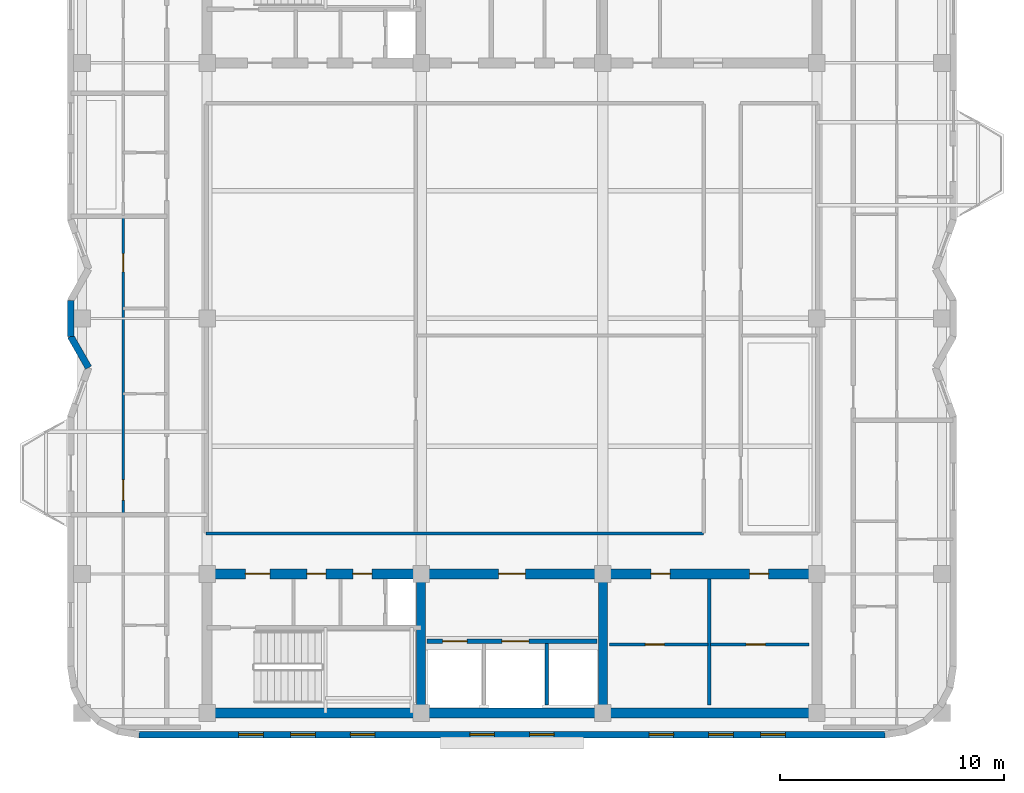
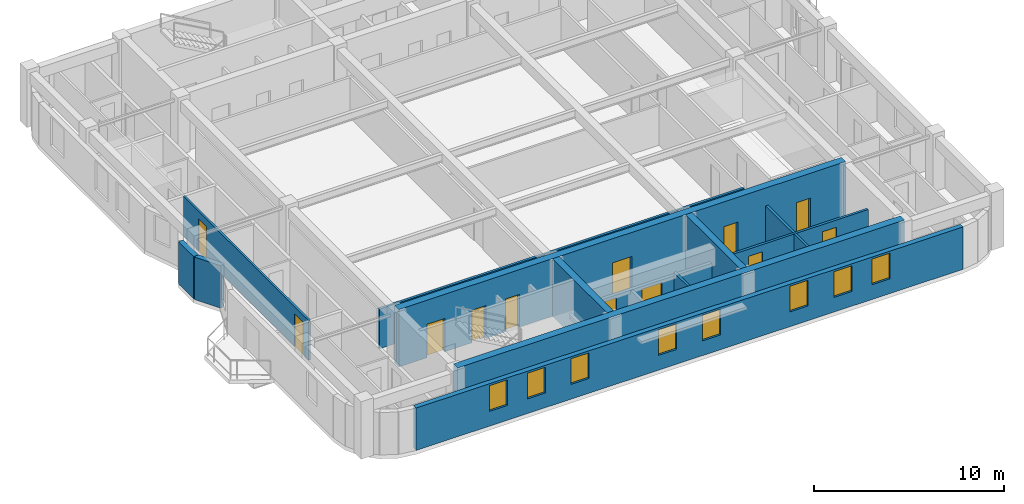
# One storey, part 3 of 9: 14 walls, 12 doors, 8 windows, 20 openings.
"""IFC4 building model written with IfcOpenShell, lengths in metres."""

from ifc_helpers import new_model, si_unit, direction, frame, frame_2d, origin, place, context, subcontext, project, spatial, rectangle, extrude, material, layer, layer_set, type_object, element, fill, save


model = new_model("IFC4")

# Units and contexts
model_context = context("Model", 3, precision=1e-05, world=origin(), true_north=direction((0.0, 1.0)))
body_context = subcontext(model_context, "Body", "Model", "MODEL_VIEW")
ifc_project = project(units=[si_unit("LENGTHUNIT", "METRE"), si_unit("AREAUNIT", "SQUARE_METRE"), si_unit("VOLUMEUNIT", "CUBIC_METRE"), si_unit("PLANEANGLEUNIT", "RADIAN"), si_unit("MASSUNIT", "GRAM", prefix="KILO")], contexts=[model_context])

# Site, building, storey
site_placement = place(None, origin())
site = spatial("IfcSite", under=ifc_project, at=site_placement, CompositionType="ELEMENT")
building_placement = place(site_placement, origin())
building = spatial("IfcBuilding", under=site, at=building_placement, Name="Svetorya Sky Lyceum", CompositionType="ELEMENT")
storey_placement = place(building_placement, frame((0.0, 0.0, 271.300048828125)))
storey = spatial("IfcBuildingStorey", under=building, at=storey_placement, Name="L68", CompositionType="ELEMENT", Elevation=271.300048828125)

# Walls
ifc_material_1 = material(Name="Concrete C40/50", Category="concrete")
ifc_layer_1 = layer(ifc_material_1, 0.39990234375)
ifc_layer_set_1 = layer_set([ifc_layer_1], Name="Concrete C40/50")
wall_type_1 = type_object("IfcWallType", Name="WL-CORE-400", PredefinedType="SHEAR", material=ifc_layer_set_1)
for number, where, z_axis, x_axis, name in (
    (1, (35.14990234375, 10.824951171875, 0.0), (0.0, 0.0, 1.0), (0.0, 1.0, 0.0), "L68 SC Internal Shear Web WEB1"),
    (2, (43.25, 10.824951171875, 0.0), (0.0, 0.0, 1.0), (0.0, 1.0, 0.0), "L68 SC Internal Shear Web WEB2"),
):
    element("IfcWall", number, at=place(storey_placement, frame(where, z_axis=z_axis, x_axis=x_axis)), inside=storey, type_object=wall_type_1, Name=name, PredefinedType="SHEAR", context=body_context, shape_type="SweptSolid", body=[
        extrude(rectangle(XDim=5.75, YDim=0.39990234375, at=frame_2d((2.875, 0.0))), origin(), (0.0, 0.0, 1.0), 3.699951171875),
    ])
ifc_material_2 = material(Name="Concrete C50/60", Category="concrete")
ifc_layer_2 = layer(ifc_material_2, 0.449951171875)
ifc_layer_set_2 = layer_set([ifc_layer_2], Name="Concrete C50/60")
wall_type_2 = type_object("IfcWallType", Name="WL-CORE-450", PredefinedType="SHEAR", material=ifc_layer_set_2)
wall_1_placement = place(storey_placement, frame((52.800048828125, 10.60009765625, 0.0), z_axis=(0.0, 0.0, 1.0), x_axis=(-1.0, 0.0, 0.0)))
element("IfcWall", 3, at=wall_1_placement, inside=storey, type_object=wall_type_2, Name="L68 SC Outer Core Shear Wall", PredefinedType="SHEAR", context=body_context, shape_type="SweptSolid", body=[
    extrude(rectangle(XDim=27.199951171875, YDim=0.449951171875, at=frame_2d((13.60009765625, 0.0))), origin(), (0.0, 0.0, 1.0), 3.699951171875),
])

# Wall, openings, doors
wall_2_placement = place(storey_placement, frame((25.60009765625, 16.800048828125, 0.0), z_axis=(0.0, 0.0, 1.0), x_axis=(1.0, 0.0, 0.0)))
wall_2 = element("IfcWall", 4, at=wall_2_placement, inside=storey, type_object=wall_type_2, Name="L68 SC Inner Core Shear Wall", PredefinedType="SHEAR", context=body_context, shape_type="SweptSolid", body=[
    extrude(rectangle(XDim=27.199951171875, YDim=0.449951171875, at=frame_2d((13.60009765625, 0.0))), origin(), (0.0, 0.0, 1.0), 3.699951171875),
])
opening_1_placement = place(wall_2_placement, frame((1.699951171875, 0.0, 0.0)))
opening_1 = element("IfcOpeningElement", 5, at=opening_1_placement, cuts=wall_2, Name="Opening D-ST1", PredefinedType="OPENING", context=body_context, shape_type="SweptSolid", body=[
    extrude(rectangle(XDim=1.10009765625, YDim=2.14990234375, at=frame_2d((0.550048828125, 1.074951171875))), frame((0.0, 0.23486328125, 0.0), z_axis=(0.0, -1.0, 0.0), x_axis=(1.0, 0.0, 0.0)), (0.0, 0.0, 1.0), 0.469970703125),
])
opening_2_placement = place(wall_2_placement, frame((4.449951171875, 0.0, 0.0)))
opening_2 = element("IfcOpeningElement", 6, at=opening_2_placement, cuts=wall_2, Name="Opening D-CWC1", PredefinedType="OPENING", context=body_context, shape_type="SweptSolid", body=[
    extrude(rectangle(XDim=0.85009765625, YDim=2.10009765625, at=frame_2d((0.425048828125, 1.050048828125))), frame((0.0, 0.23486328125, 0.0), z_axis=(0.0, -1.0, 0.0), x_axis=(1.0, 0.0, 0.0)), (0.0, 0.0, 1.0), 0.469970703125),
])
opening_3_placement = place(wall_2_placement, frame((6.5, 0.0, 0.0)))
opening_3 = element("IfcOpeningElement", 7, at=opening_3_placement, cuts=wall_2, Name="Opening D-CWC1", PredefinedType="OPENING", context=body_context, shape_type="SweptSolid", body=[
    extrude(rectangle(XDim=0.85009765625, YDim=2.10009765625, at=frame_2d((0.425048828125, 1.050048828125))), frame((0.0, 0.23486328125, 0.0), z_axis=(0.0, -1.0, 0.0), x_axis=(1.0, 0.0, 0.0)), (0.0, 0.0, 1.0), 0.469970703125),
])
opening_4_placement = place(wall_2_placement, frame((13.0, 0.0, 0.0)))
opening_4 = element("IfcOpeningElement", 8, at=opening_4_placement, cuts=wall_2, Name="Opening D-FL1", PredefinedType="OPENING", context=body_context, shape_type="SweptSolid", body=[
    extrude(rectangle(XDim=1.199951171875, YDim=2.14990234375, at=frame_2d((0.60009765625, 1.074951171875))), frame((0.0, 0.23486328125, 0.0), z_axis=(0.0, -1.0, 0.0), x_axis=(1.0, 0.0, 0.0)), (0.0, 0.0, 1.0), 0.469970703125),
])
opening_5_placement = place(wall_2_placement, frame((19.800048828125, 0.0, 0.0)))
opening_5 = element("IfcOpeningElement", 9, at=opening_5_placement, cuts=wall_2, Name="Opening D-CWC1", PredefinedType="OPENING", context=body_context, shape_type="SweptSolid", body=[
    extrude(rectangle(XDim=0.85009765625, YDim=2.10009765625, at=frame_2d((0.425048828125, 1.050048828125))), frame((0.0, 0.23486328125, 0.0), z_axis=(0.0, -1.0, 0.0), x_axis=(1.0, 0.0, 0.0)), (0.0, 0.0, 1.0), 0.469970703125),
])
opening_6_placement = place(wall_2_placement, frame((24.199951171875, 0.0, 0.0)))
opening_6 = element("IfcOpeningElement", 10, at=opening_6_placement, cuts=wall_2, Name="Opening D-CWC1", PredefinedType="OPENING", context=body_context, shape_type="SweptSolid", body=[
    extrude(rectangle(XDim=0.85009765625, YDim=2.10009765625, at=frame_2d((0.425048828125, 1.050048828125))), frame((0.0, 0.23486328125, 0.0), z_axis=(0.0, -1.0, 0.0), x_axis=(1.0, 0.0, 0.0)), (0.0, 0.0, 1.0), 0.469970703125),
])
ifc_material_3 = material(Name="Fire-rated galvanized steel core service closet door", Category="steel")
door_type_1 = type_object("IfcDoorType", Name="DR-CWET-850", OperationType="SINGLE_SWING_LEFT", PredefinedType="DOOR", material=ifc_material_3)
door_1_placement = place(opening_2_placement, origin())
door_1 = element("IfcDoor", 11, at=door_1_placement, inside=storey, type_object=door_type_1, Name="L68 South Mop Closet Door", OperationType="SINGLE_SWING_LEFT", OverallHeight=2.10009765625, OverallWidth=0.85009765625, PredefinedType="DOOR", context=body_context, shape_type="SweptSolid", body=[
    extrude(rectangle(XDim=0.85009765625, YDim=2.10009765625, at=frame_2d((0.425048828125, 1.050048828125))), frame((0.0, 0.02490234375, 0.0), z_axis=(0.0, -1.0, 0.0), x_axis=(1.0, 0.0, 0.0)), (0.0, 0.0, 1.0), 0.050048828125),
])
fill(opening_2, door_1)
door_2_placement = place(opening_3_placement, origin())
door_2 = element("IfcDoor", 12, at=door_2_placement, inside=storey, type_object=door_type_1, Name="L68 South West WC Door", OperationType="SINGLE_SWING_RIGHT", OverallHeight=2.10009765625, OverallWidth=0.85009765625, PredefinedType="DOOR", context=body_context, shape_type="SweptSolid", body=[
    extrude(rectangle(XDim=0.85009765625, YDim=2.10009765625, at=frame_2d((0.425048828125, 1.050048828125))), frame((0.0, 0.02490234375, 0.0), z_axis=(0.0, -1.0, 0.0), x_axis=(1.0, 0.0, 0.0)), (0.0, 0.0, 1.0), 0.050048828125),
])
fill(opening_3, door_2)
door_3_placement = place(opening_5_placement, origin())
door_3 = element("IfcDoor", 13, at=door_3_placement, inside=storey, type_object=door_type_1, Name="L68 Housekeeping Door", OperationType="SINGLE_SWING_LEFT", OverallHeight=2.10009765625, OverallWidth=0.85009765625, PredefinedType="DOOR", context=body_context, shape_type="SweptSolid", body=[
    extrude(rectangle(XDim=0.85009765625, YDim=2.10009765625, at=frame_2d((0.425048828125, 1.050048828125))), frame((0.0, 0.02490234375, 0.0), z_axis=(0.0, -1.0, 0.0), x_axis=(1.0, 0.0, 0.0)), (0.0, 0.0, 1.0), 0.050048828125),
])
fill(opening_5, door_3)
door_4_placement = place(opening_6_placement, origin())
door_4 = element("IfcDoor", 14, at=door_4_placement, inside=storey, type_object=door_type_1, Name="L68 South WC Door", OperationType="SINGLE_SWING_RIGHT", OverallHeight=2.10009765625, OverallWidth=0.85009765625, PredefinedType="DOOR", context=body_context, shape_type="SweptSolid", body=[
    extrude(rectangle(XDim=0.85009765625, YDim=2.10009765625, at=frame_2d((0.425048828125, 1.050048828125))), frame((0.0, 0.02490234375, 0.0), z_axis=(0.0, -1.0, 0.0), x_axis=(1.0, 0.0, 0.0)), (0.0, 0.0, 1.0), 0.050048828125),
])
fill(opening_6, door_4)
ifc_material_4 = material(Name="Powder-coated insulated galvanized stair fire door")
door_type_2 = type_object("IfcDoorType", Name="DR-FIRE-1100", OperationType="SINGLE_SWING_LEFT", PredefinedType="DOOR", material=ifc_material_4)
door_5_placement = place(opening_1_placement, origin())
door_5 = element("IfcDoor", 15, at=door_5_placement, inside=storey, type_object=door_type_2, Name="L68 South Stair Airlock Door", OperationType="SINGLE_SWING_RIGHT", OverallHeight=2.14990234375, OverallWidth=1.10009765625, PredefinedType="DOOR", context=body_context, shape_type="SweptSolid", body=[
    extrude(rectangle(XDim=1.10009765625, YDim=2.14990234375, at=frame_2d((0.550048828125, 1.074951171875))), frame((0.0, 0.02490234375, 0.0), z_axis=(0.0, -1.0, 0.0), x_axis=(1.0, 0.0, 0.0)), (0.0, 0.0, 1.0), 0.050048828125),
])
fill(opening_1, door_5)
ifc_material_5 = material(Name="Powder-coated insulated galvanized fire door")
door_type_3 = type_object("IfcDoorType", Name="DR-FIRE-1200", OperationType="SINGLE_SWING_LEFT", PredefinedType="DOOR", material=ifc_material_5)
door_6_placement = place(opening_4_placement, origin())
door_6 = element("IfcDoor", 16, at=door_6_placement, inside=storey, type_object=door_type_3, Name="L68 South Firefighting Lift Lobby Door", OperationType="SINGLE_SWING_LEFT", OverallHeight=2.14990234375, OverallWidth=1.199951171875, PredefinedType="DOOR", context=body_context, shape_type="SweptSolid", body=[
    extrude(rectangle(XDim=1.199951171875, YDim=2.14990234375, at=frame_2d((0.60009765625, 1.074951171875))), frame((0.0, 0.02490234375, 0.0), z_axis=(0.0, -1.0, 0.0), x_axis=(1.0, 0.0, 0.0)), (0.0, 0.0, 1.0), 0.050048828125),
])
fill(opening_4, door_6)

# Wall, openings, windows
ifc_material_6 = material(Name="Putilovo limestone rainscreen on autoclaved cellular masonry", Category="masonry")
ifc_layer_3 = layer(ifc_material_6, 0.300048828125)
ifc_layer_set_3 = layer_set([ifc_layer_3], Name="Putilovo limestone rainscreen on autoclaved cellular masonry")
wall_type_3 = type_object("IfcWallType", Name="WL-EXT-300", PredefinedType="SOLIDWALL", material=ifc_layer_set_3)
wall_3_placement = place(storey_placement, frame((22.56005859375, 9.6298828125, 0.0), z_axis=(0.0, 0.0, 1.0), x_axis=(1.0, 0.0, 0.0)))
wall_3 = element("IfcWall", 17, at=wall_3_placement, inside=storey, type_object=wall_type_3, Name="L68 Limestone Exterior Wall 6M", PredefinedType="SOLIDWALL", context=body_context, shape_type="SweptSolid", body=[
    extrude(rectangle(XDim=33.280029296875, YDim=0.300048828125, at=frame_2d((16.64013671875, 0.0))), origin(), (0.0, 0.0, 1.0), 2.72998046875),
])
opening_7_placement = place(wall_3_placement, frame((4.447509765625, 0.0, 0.949951171875)))
opening_7 = element("IfcOpeningElement", 18, at=opening_7_placement, cuts=wall_3, Name="Opening W-R3", PredefinedType="OPENING", context=body_context, shape_type="SweptSolid", body=[
    extrude(rectangle(XDim=1.10009765625, YDim=1.64990234375, at=frame_2d((0.550048828125, 0.824951171875))), frame((0.0, 0.159912109375, 0.0), z_axis=(0.0, -1.0, 0.0), x_axis=(1.0, 0.0, 0.0)), (0.0, 0.0, 1.0), 0.320068359375),
])
opening_8_placement = place(wall_3_placement, frame((6.762451171875, 0.0, 0.949951171875)))
opening_8 = element("IfcOpeningElement", 19, at=opening_8_placement, cuts=wall_3, Name="Opening W-R3", PredefinedType="OPENING", context=body_context, shape_type="SweptSolid", body=[
    extrude(rectangle(XDim=1.10009765625, YDim=1.64990234375, at=frame_2d((0.550048828125, 0.824951171875))), frame((0.0, 0.159912109375, 0.0), z_axis=(0.0, -1.0, 0.0), x_axis=(1.0, 0.0, 0.0)), (0.0, 0.0, 1.0), 0.320068359375),
])
opening_9_placement = place(wall_3_placement, frame((9.427490234375, 0.0, 0.949951171875)))
opening_9 = element("IfcOpeningElement", 20, at=opening_9_placement, cuts=wall_3, Name="Opening W-R3", PredefinedType="OPENING", context=body_context, shape_type="SweptSolid", body=[
    extrude(rectangle(XDim=1.10009765625, YDim=1.64990234375, at=frame_2d((0.550048828125, 0.824951171875))), frame((0.0, 0.159912109375, 0.0), z_axis=(0.0, -1.0, 0.0), x_axis=(1.0, 0.0, 0.0)), (0.0, 0.0, 1.0), 0.320068359375),
])
opening_10_placement = place(wall_3_placement, frame((14.757568359375, 0.0, 0.949951171875)))
opening_10 = element("IfcOpeningElement", 21, at=opening_10_placement, cuts=wall_3, Name="Opening W-R3", PredefinedType="OPENING", context=body_context, shape_type="SweptSolid", body=[
    extrude(rectangle(XDim=1.10009765625, YDim=1.64990234375, at=frame_2d((0.550048828125, 0.824951171875))), frame((0.0, 0.159912109375, 0.0), z_axis=(0.0, -1.0, 0.0), x_axis=(1.0, 0.0, 0.0)), (0.0, 0.0, 1.0), 0.320068359375),
])
opening_11_placement = place(wall_3_placement, frame((17.422607421875, 0.0, 0.949951171875)))
opening_11 = element("IfcOpeningElement", 22, at=opening_11_placement, cuts=wall_3, Name="Opening W-R3", PredefinedType="OPENING", context=body_context, shape_type="SweptSolid", body=[
    extrude(rectangle(XDim=1.10009765625, YDim=1.64990234375, at=frame_2d((0.550048828125, 0.824951171875))), frame((0.0, 0.159912109375, 0.0), z_axis=(0.0, -1.0, 0.0), x_axis=(1.0, 0.0, 0.0)), (0.0, 0.0, 1.0), 0.320068359375),
])
opening_12_placement = place(wall_3_placement, frame((22.75244140625, 0.0, 0.949951171875)))
opening_12 = element("IfcOpeningElement", 23, at=opening_12_placement, cuts=wall_3, Name="Opening W-R3", PredefinedType="OPENING", context=body_context, shape_type="SweptSolid", body=[
    extrude(rectangle(XDim=1.10009765625, YDim=1.64990234375, at=frame_2d((0.550048828125, 0.824951171875))), frame((0.0, 0.159912109375, 0.0), z_axis=(0.0, -1.0, 0.0), x_axis=(1.0, 0.0, 0.0)), (0.0, 0.0, 1.0), 0.320068359375),
])
opening_13_placement = place(wall_3_placement, frame((25.41748046875, 0.0, 0.949951171875)))
opening_13 = element("IfcOpeningElement", 24, at=opening_13_placement, cuts=wall_3, Name="Opening W-R3", PredefinedType="OPENING", context=body_context, shape_type="SweptSolid", body=[
    extrude(rectangle(XDim=1.10009765625, YDim=1.64990234375, at=frame_2d((0.550048828125, 0.824951171875))), frame((0.0, 0.159912109375, 0.0), z_axis=(0.0, -1.0, 0.0), x_axis=(1.0, 0.0, 0.0)), (0.0, 0.0, 1.0), 0.320068359375),
])
opening_14_placement = place(wall_3_placement, frame((27.732421875, 0.0, 0.949951171875)))
opening_14 = element("IfcOpeningElement", 25, at=opening_14_placement, cuts=wall_3, Name="Opening W-R3", PredefinedType="OPENING", context=body_context, shape_type="SweptSolid", body=[
    extrude(rectangle(XDim=1.10009765625, YDim=1.64990234375, at=frame_2d((0.550048828125, 0.824951171875))), frame((0.0, 0.159912109375, 0.0), z_axis=(0.0, -1.0, 0.0), x_axis=(1.0, 0.0, 0.0)), (0.0, 0.0, 1.0), 0.320068359375),
])
ifc_material_7 = material(Name="Thermally broken aluminium frame with triple low-E glazing", Category="aluminium")
window_type = type_object("IfcWindowType", Name="WN-RES-110", PartitioningType="SINGLE_PANEL", PredefinedType="WINDOW", material=ifc_material_7)
window_1_placement = place(opening_7_placement, origin())
window_1 = element("IfcWindow", 26, at=window_1_placement, inside=storey, type_object=window_type, Name="L68 Facade Window W-R3.6M.1", OverallHeight=1.64990234375, OverallWidth=1.10009765625, PartitioningType="SINGLE_PANEL", PredefinedType="WINDOW", context=body_context, shape_type="SweptSolid", body=[
    extrude(rectangle(XDim=1.10009765625, YDim=1.64990234375, at=frame_2d((0.550048828125, 0.824951171875))), frame((0.0, 0.030029296875, 0.0), z_axis=(0.0, -1.0, 0.0), x_axis=(1.0, 0.0, 0.0)), (0.0, 0.0, 1.0), 0.06005859375),
])
fill(opening_7, window_1)
window_2_placement = place(opening_8_placement, origin())
window_2 = element("IfcWindow", 27, at=window_2_placement, inside=storey, type_object=window_type, Name="L68 Facade Window W-R3.6M.2", OverallHeight=1.64990234375, OverallWidth=1.10009765625, PartitioningType="SINGLE_PANEL", PredefinedType="WINDOW", context=body_context, shape_type="SweptSolid", body=[
    extrude(rectangle(XDim=1.10009765625, YDim=1.64990234375, at=frame_2d((0.550048828125, 0.824951171875))), frame((0.0, 0.030029296875, 0.0), z_axis=(0.0, -1.0, 0.0), x_axis=(1.0, 0.0, 0.0)), (0.0, 0.0, 1.0), 0.06005859375),
])
fill(opening_8, window_2)
window_3_placement = place(opening_9_placement, origin())
window_3 = element("IfcWindow", 28, at=window_3_placement, inside=storey, type_object=window_type, Name="L68 Facade Window W-R3.6M.3", OverallHeight=1.64990234375, OverallWidth=1.10009765625, PartitioningType="SINGLE_PANEL", PredefinedType="WINDOW", context=body_context, shape_type="SweptSolid", body=[
    extrude(rectangle(XDim=1.10009765625, YDim=1.64990234375, at=frame_2d((0.550048828125, 0.824951171875))), frame((0.0, 0.030029296875, 0.0), z_axis=(0.0, -1.0, 0.0), x_axis=(1.0, 0.0, 0.0)), (0.0, 0.0, 1.0), 0.06005859375),
])
fill(opening_9, window_3)
window_4_placement = place(opening_10_placement, origin())
window_4 = element("IfcWindow", 29, at=window_4_placement, inside=storey, type_object=window_type, Name="L68 Facade Window W-R3.6M.4", OverallHeight=1.64990234375, OverallWidth=1.10009765625, PartitioningType="SINGLE_PANEL", PredefinedType="WINDOW", context=body_context, shape_type="SweptSolid", body=[
    extrude(rectangle(XDim=1.10009765625, YDim=1.64990234375, at=frame_2d((0.550048828125, 0.824951171875))), frame((0.0, 0.030029296875, 0.0), z_axis=(0.0, -1.0, 0.0), x_axis=(1.0, 0.0, 0.0)), (0.0, 0.0, 1.0), 0.06005859375),
])
fill(opening_10, window_4)
window_5_placement = place(opening_11_placement, origin())
window_5 = element("IfcWindow", 30, at=window_5_placement, inside=storey, type_object=window_type, Name="L68 Facade Window W-R3.6M.5", OverallHeight=1.64990234375, OverallWidth=1.10009765625, PartitioningType="SINGLE_PANEL", PredefinedType="WINDOW", context=body_context, shape_type="SweptSolid", body=[
    extrude(rectangle(XDim=1.10009765625, YDim=1.64990234375, at=frame_2d((0.550048828125, 0.824951171875))), frame((0.0, 0.030029296875, 0.0), z_axis=(0.0, -1.0, 0.0), x_axis=(1.0, 0.0, 0.0)), (0.0, 0.0, 1.0), 0.06005859375),
])
fill(opening_11, window_5)
window_6_placement = place(opening_12_placement, origin())
window_6 = element("IfcWindow", 31, at=window_6_placement, inside=storey, type_object=window_type, Name="L68 Facade Window W-R3.6M.6", OverallHeight=1.64990234375, OverallWidth=1.10009765625, PartitioningType="SINGLE_PANEL", PredefinedType="WINDOW", context=body_context, shape_type="SweptSolid", body=[
    extrude(rectangle(XDim=1.10009765625, YDim=1.64990234375, at=frame_2d((0.550048828125, 0.824951171875))), frame((0.0, 0.030029296875, 0.0), z_axis=(0.0, -1.0, 0.0), x_axis=(1.0, 0.0, 0.0)), (0.0, 0.0, 1.0), 0.06005859375),
])
fill(opening_12, window_6)
window_7_placement = place(opening_13_placement, origin())
window_7 = element("IfcWindow", 32, at=window_7_placement, inside=storey, type_object=window_type, Name="L68 Facade Window W-R3.6M.7", OverallHeight=1.64990234375, OverallWidth=1.10009765625, PartitioningType="SINGLE_PANEL", PredefinedType="WINDOW", context=body_context, shape_type="SweptSolid", body=[
    extrude(rectangle(XDim=1.10009765625, YDim=1.64990234375, at=frame_2d((0.550048828125, 0.824951171875))), frame((0.0, 0.030029296875, 0.0), z_axis=(0.0, -1.0, 0.0), x_axis=(1.0, 0.0, 0.0)), (0.0, 0.0, 1.0), 0.06005859375),
])
fill(opening_13, window_7)
window_8_placement = place(opening_14_placement, origin())
window_8 = element("IfcWindow", 33, at=window_8_placement, inside=storey, type_object=window_type, Name="L68 Facade Window W-R3.6M.8", OverallHeight=1.64990234375, OverallWidth=1.10009765625, PartitioningType="SINGLE_PANEL", PredefinedType="WINDOW", context=body_context, shape_type="SweptSolid", body=[
    extrude(rectangle(XDim=1.10009765625, YDim=1.64990234375, at=frame_2d((0.550048828125, 0.824951171875))), frame((0.0, 0.030029296875, 0.0), z_axis=(0.0, -1.0, 0.0), x_axis=(1.0, 0.0, 0.0)), (0.0, 0.0, 1.0), 0.06005859375),
])
fill(opening_14, window_8)

# Walls
wall_4_placement = place(storey_placement, frame((19.510009765625, 29.0, 0.0), z_axis=(0.0, 0.0, 1.0), x_axis=(0.0, -1.0, 0.0)))
element("IfcWall", 34, at=wall_4_placement, inside=storey, type_object=wall_type_3, Name="L68 Limestone Exterior Wall 33M", PredefinedType="SOLIDWALL", context=body_context, shape_type="SweptSolid", body=[
    extrude(rectangle(XDim=1.60009765625, YDim=0.300048828125, at=frame_2d((0.800048828125, 0.0))), origin(), (0.0, 0.0, 1.0), 2.72998046875),
])
wall_5_placement = place(storey_placement, frame((19.510009765625, 27.39990234375, 0.0), z_axis=(0.0, 0.0, 1.0), x_axis=(0.496187856351, -0.868215187157, 0.0)))
element("IfcWall", 35, at=wall_5_placement, inside=storey, type_object=wall_type_3, Name="L68 Limestone Exterior Wall 34M", PredefinedType="SOLIDWALL", context=body_context, shape_type="SweptSolid", body=[
    extrude(rectangle(XDim=1.6123046875, YDim=0.300048828125, at=frame_2d((0.80615234375, 0.0))), origin(), (0.0, 0.0, 1.0), 2.72998046875),
])

# Wall, openings, doors
ifc_material_8 = material(Name="Twin-stud galvanized framing with double fireboard", Category="gypsum")
ifc_layer_4 = layer(ifc_material_8, 0.1201171875)
ifc_layer_set_4 = layer_set([ifc_layer_4], Name="Twin-stud galvanized framing with double fireboard")
wall_type_4 = type_object("IfcWallType", Name="WL-PART-120", PredefinedType="PARTITIONING", material=ifc_layer_set_4)
wall_6_placement = place(storey_placement, frame((21.85009765625, 19.47998046875, 0.0), z_axis=(0.0, 0.0, 1.0), x_axis=(0.0, 1.0, 0.0)))
wall_6 = element("IfcWall", 36, at=wall_6_placement, inside=storey, type_object=wall_type_4, Name="L68 Interior Partition W2-WV", PredefinedType="PARTITIONING", context=body_context, shape_type="SweptSolid", body=[
    extrude(rectangle(XDim=13.22998046875, YDim=0.1201171875, at=frame_2d((6.614990234375, 0.0))), origin(), (0.0, 0.0, 1.0), 2.56005859375),
])
opening_15_placement = place(wall_6_placement, frame((0.610107421875, 0.0, 0.0)))
opening_15 = element("IfcOpeningElement", 37, at=opening_15_placement, cuts=wall_6, Name="Opening D-RM1", PredefinedType="OPENING", context=body_context, shape_type="SweptSolid", body=[
    extrude(rectangle(XDim=0.89990234375, YDim=2.10009765625, at=frame_2d((0.449951171875, 1.050048828125))), frame((0.0, 0.070068359375, 0.0), z_axis=(0.0, -1.0, 0.0), x_axis=(1.0, 0.0, 0.0)), (0.0, 0.0, 1.0), 0.14013671875),
])
opening_16_placement = place(wall_6_placement, frame((10.7900390625, 0.0, 0.0)))
opening_16 = element("IfcOpeningElement", 38, at=opening_16_placement, cuts=wall_6, Name="Opening D-BT2", PredefinedType="OPENING", context=body_context, shape_type="SweptSolid", body=[
    extrude(rectangle(XDim=0.820068359375, YDim=2.080078125, at=frame_2d((0.41015625, 1.0400390625))), frame((0.0, 0.070068359375, 0.0), z_axis=(0.0, -1.0, 0.0), x_axis=(1.0, 0.0, 0.0)), (0.0, 0.0, 1.0), 0.14013671875),
])
ifc_material_9 = material(Name="Lacquered birch veneer internal door")
door_type_4 = type_object("IfcDoorType", Name="DR-INT-900", OperationType="SINGLE_SWING_LEFT", PredefinedType="DOOR", material=ifc_material_9)
door_7_placement = place(opening_15_placement, origin())
door_7 = element("IfcDoor", 39, at=door_7_placement, inside=storey, type_object=door_type_4, Name="Apartment W2 Living Door", OperationType="SINGLE_SWING_LEFT", OverallHeight=2.10009765625, OverallWidth=0.89990234375, PredefinedType="DOOR", context=body_context, shape_type="SweptSolid", body=[
    extrude(rectangle(XDim=0.89990234375, YDim=2.10009765625, at=frame_2d((0.449951171875, 1.050048828125))), frame((0.0, 0.02490234375, 0.0), z_axis=(0.0, -1.0, 0.0), x_axis=(1.0, 0.0, 0.0)), (0.0, 0.0, 1.0), 0.050048828125),
])
fill(opening_15, door_7)
ifc_material_10 = material(Name="Compact moisture-resistant laminate closet door")
door_type_5 = type_object("IfcDoorType", Name="DR-WET-820", OperationType="SINGLE_SWING_LEFT", PredefinedType="DOOR", material=ifc_material_10)
door_8_placement = place(opening_16_placement, origin())
door_8 = element("IfcDoor", 40, at=door_8_placement, inside=storey, type_object=door_type_5, Name="Apartment W2 Study Door", OperationType="SINGLE_SWING_RIGHT", OverallHeight=2.080078125, OverallWidth=0.820068359375, PredefinedType="DOOR", context=body_context, shape_type="SweptSolid", body=[
    extrude(rectangle(XDim=0.820068359375, YDim=2.080078125, at=frame_2d((0.41015625, 1.0400390625))), frame((0.0, 0.02490234375, 0.0), z_axis=(0.0, -1.0, 0.0), x_axis=(1.0, 0.0, 0.0)), (0.0, 0.0, 1.0), 0.050048828125),
])
fill(opening_16, door_8)

# Walls
ifc_material_11 = material(Name="Autoclaved cellular masonry blockwork with acoustic render", Category="masonry")
ifc_layer_5 = layer(ifc_material_11, 0.14990234375)
ifc_layer_set_5 = layer_set([ifc_layer_5], Name="Autoclaved cellular masonry blockwork with acoustic render")
wall_type_5 = type_object("IfcWallType", Name="WL-PART-150", PredefinedType="PARTITIONING", material=ifc_layer_set_5)
wall_7_placement = place(storey_placement, frame((40.75, 10.949951171875, 0.0), z_axis=(0.0, 0.0, 1.0), x_axis=(0.0, 1.0, 0.0)))
element("IfcWall", 41, at=wall_7_placement, inside=storey, type_object=wall_type_5, Name="L68 Interior Partition SC-SHD2", PredefinedType="PARTITIONING", context=body_context, shape_type="SweptSolid", body=[
    extrude(rectangle(XDim=2.75, YDim=0.14990234375, at=frame_2d((1.375, 0.0))), origin(), (0.0, 0.0, 1.0), 2.56005859375),
])
wall_8_placement = place(storey_placement, frame((48.0, 10.949951171875, 0.0), z_axis=(0.0, 0.0, 1.0), x_axis=(0.0, 1.0, 0.0)))
element("IfcWall", 42, at=wall_8_placement, inside=storey, type_object=wall_type_5, Name="L68 Interior Partition SC-LV7-V", PredefinedType="PARTITIONING", context=body_context, shape_type="SweptSolid", body=[
    extrude(rectangle(XDim=5.630126953125, YDim=0.14990234375, at=frame_2d((2.81494140625, 0.0))), origin(), (0.0, 0.0, 1.0), 2.56005859375),
])

# Wall, opening, door
wall_9_placement = place(storey_placement, frame((43.550048828125, 13.64990234375, 0.0), z_axis=(0.0, 0.0, 1.0), x_axis=(1.0, 0.0, 0.0)))
wall_9 = element("IfcWall", 43, at=wall_9_placement, inside=storey, type_object=wall_type_5, Name="L68 Interior Partition SC-LV7-HW", PredefinedType="PARTITIONING", context=body_context, shape_type="SweptSolid", body=[
    extrude(rectangle(XDim=4.39990234375, YDim=0.14990234375, at=frame_2d((2.199951171875, 0.0))), origin(), (0.0, 0.0, 1.0), 2.56005859375),
])
opening_17_placement = place(wall_9_placement, frame((1.60009765625, 0.0, 0.0)))
opening_17 = element("IfcOpeningElement", 44, at=opening_17_placement, cuts=wall_9, Name="Opening D-CWC1", PredefinedType="OPENING", context=body_context, shape_type="SweptSolid", body=[
    extrude(rectangle(XDim=0.85009765625, YDim=2.10009765625, at=frame_2d((0.425048828125, 1.050048828125))), frame((0.0, 0.0849609375, 0.0), z_axis=(0.0, -1.0, 0.0), x_axis=(1.0, 0.0, 0.0)), (0.0, 0.0, 1.0), 0.169921875),
])
door_9_placement = place(opening_17_placement, origin())
door_9 = element("IfcDoor", 45, at=door_9_placement, inside=storey, type_object=door_type_1, Name="L68 South Electrical Room Door", OperationType="SINGLE_SWING_LEFT", OverallHeight=2.10009765625, OverallWidth=0.85009765625, PredefinedType="DOOR", context=body_context, shape_type="SweptSolid", body=[
    extrude(rectangle(XDim=0.85009765625, YDim=2.10009765625, at=frame_2d((0.425048828125, 1.050048828125))), frame((0.0, 0.02490234375, 0.0), z_axis=(0.0, -1.0, 0.0), x_axis=(1.0, 0.0, 0.0)), (0.0, 0.0, 1.0), 0.050048828125),
])
fill(opening_17, door_9)

wall_10_placement = place(storey_placement, frame((48.050048828125, 13.64990234375, 0.0), z_axis=(0.0, 0.0, 1.0), x_axis=(1.0, 0.0, 0.0)))
wall_10 = element("IfcWall", 46, at=wall_10_placement, inside=storey, type_object=wall_type_5, Name="L68 Interior Partition SC-LV7-HE", PredefinedType="PARTITIONING", context=body_context, shape_type="SweptSolid", body=[
    extrude(rectangle(XDim=4.39990234375, YDim=0.14990234375, at=frame_2d((2.199951171875, 0.0))), origin(), (0.0, 0.0, 1.0), 2.56005859375),
])
opening_18_placement = place(wall_10_placement, frame((1.60009765625, 0.0, 0.0)))
opening_18 = element("IfcOpeningElement", 47, at=opening_18_placement, cuts=wall_10, Name="Opening D-CWC1", PredefinedType="OPENING", context=body_context, shape_type="SweptSolid", body=[
    extrude(rectangle(XDim=0.85009765625, YDim=2.10009765625, at=frame_2d((0.425048828125, 1.050048828125))), frame((0.0, 0.0849609375, 0.0), z_axis=(0.0, -1.0, 0.0), x_axis=(1.0, 0.0, 0.0)), (0.0, 0.0, 1.0), 0.169921875),
])
door_10_placement = place(opening_18_placement, origin())
door_10 = element("IfcDoor", 48, at=door_10_placement, inside=storey, type_object=door_type_1, Name="L68 South Server Closet Door", OperationType="SINGLE_SWING_RIGHT", OverallHeight=2.10009765625, OverallWidth=0.85009765625, PredefinedType="DOOR", context=body_context, shape_type="SweptSolid", body=[
    extrude(rectangle(XDim=0.85009765625, YDim=2.10009765625, at=frame_2d((0.425048828125, 1.050048828125))), frame((0.0, 0.02490234375, 0.0), z_axis=(0.0, -1.0, 0.0), x_axis=(1.0, 0.0, 0.0)), (0.0, 0.0, 1.0), 0.050048828125),
])
fill(opening_18, door_10)

# Wall
wall_11_placement = place(storey_placement, frame((25.550048828125, 18.60009765625, 0.0), z_axis=(0.0, 0.0, 1.0), x_axis=(1.0, 0.0, 0.0)))
element("IfcWall", 49, at=wall_11_placement, inside=storey, type_object=wall_type_5, Name="L68 Interior Partition OFF-CS-W", PredefinedType="PARTITIONING", context=body_context, shape_type="SweptSolid", body=[
    extrude(rectangle(XDim=22.199951171875, YDim=0.14990234375, at=frame_2d((11.10009765625, 0.0))), origin(), (0.0, 0.0, 1.0), 2.56005859375),
])

# Wall, openings, doors
ifc_material_12 = material(Name="Autoclaved cellular masonry blockwork with gypsum plaster", Category="masonry")
ifc_layer_6 = layer(ifc_material_12, 0.199951171875)
ifc_layer_set_6 = layer_set([ifc_layer_6], Name="Autoclaved cellular masonry blockwork with gypsum plaster")
wall_type_6 = type_object("IfcWallType", Name="WL-PART-200", PredefinedType="PARTITIONING", material=ifc_layer_set_6)
wall_12_placement = place(storey_placement, frame((35.39990234375, 13.800048828125, 0.0), z_axis=(0.0, 0.0, 1.0), x_axis=(1.0, 0.0, 0.0)))
wall_12 = element("IfcWall", 50, at=wall_12_placement, inside=storey, type_object=wall_type_6, Name="L68 Interior Partition SC-FLW", PredefinedType="PARTITIONING", context=body_context, shape_type="SweptSolid", body=[
    extrude(rectangle(XDim=7.60009765625, YDim=0.199951171875, at=frame_2d((3.800048828125, 0.0))), origin(), (0.0, 0.0, 1.0), 2.329833984375),
])
opening_19_placement = place(wall_12_placement, frame((0.699951171875, 0.0, 0.0)))
opening_19 = element("IfcOpeningElement", 51, at=opening_19_placement, cuts=wall_12, Name="Opening LD-FL", PredefinedType="OPENING", context=body_context, shape_type="SweptSolid", body=[
    extrude(rectangle(XDim=1.10009765625, YDim=2.14990234375, at=frame_2d((0.550048828125, 1.074951171875))), frame((0.0, 0.10986328125, 0.0), z_axis=(0.0, -1.0, 0.0), x_axis=(1.0, 0.0, 0.0)), (0.0, 0.0, 1.0), 0.219970703125),
])
opening_20_placement = place(wall_12_placement, frame((3.35009765625, 0.0, 0.0)))
opening_20 = element("IfcOpeningElement", 52, at=opening_20_placement, cuts=wall_12, Name="Opening LD-SV", PredefinedType="OPENING", context=body_context, shape_type="SweptSolid", body=[
    extrude(rectangle(XDim=1.199951171875, YDim=2.14990234375, at=frame_2d((0.60009765625, 1.074951171875))), frame((0.0, 0.10986328125, 0.0), z_axis=(0.0, -1.0, 0.0), x_axis=(1.0, 0.0, 0.0)), (0.0, 0.0, 1.0), 0.219970703125),
])
ifc_material_13 = material(Name="Fire-rated stainless AISI 304 firefighting lift landing door")
door_type_6 = type_object("IfcDoorType", Name="DR-LIFT-1100", OperationType="SLIDING_TO_LEFT", PredefinedType="DOOR", material=ifc_material_13)
door_11_placement = place(opening_19_placement, origin())
door_11 = element("IfcDoor", 53, at=door_11_placement, inside=storey, type_object=door_type_6, Name="L68 Firefighting Lift FL2 Landing Door", OperationType="SLIDING_TO_LEFT", OverallHeight=2.14990234375, OverallWidth=1.10009765625, PredefinedType="DOOR", context=body_context, shape_type="SweptSolid", body=[
    extrude(rectangle(XDim=1.10009765625, YDim=2.14990234375, at=frame_2d((0.550048828125, 1.074951171875))), frame((0.0, 0.02490234375, 0.0), z_axis=(0.0, -1.0, 0.0), x_axis=(1.0, 0.0, 0.0)), (0.0, 0.0, 1.0), 0.050048828125),
])
fill(opening_19, door_11)
ifc_material_14 = material(Name="Brushed stainless AISI 304 telescopic lift landing door")
door_type_7 = type_object("IfcDoorType", Name="DR-LIFT-1200", OperationType="SLIDING_TO_LEFT", PredefinedType="DOOR", material=ifc_material_14)
door_12_placement = place(opening_20_placement, origin())
door_12 = element("IfcDoor", 54, at=door_12_placement, inside=storey, type_object=door_type_7, Name="L68 Service Lift SVL1 Landing Door", OperationType="SLIDING_TO_LEFT", OverallHeight=2.14990234375, OverallWidth=1.199951171875, PredefinedType="DOOR", context=body_context, shape_type="SweptSolid", body=[
    extrude(rectangle(XDim=1.199951171875, YDim=2.14990234375, at=frame_2d((0.60009765625, 1.074951171875))), frame((0.0, 0.02490234375, 0.0), z_axis=(0.0, -1.0, 0.0), x_axis=(1.0, 0.0, 0.0)), (0.0, 0.0, 1.0), 0.050048828125),
])
fill(opening_20, door_12)

save(model, "model.ifc")
